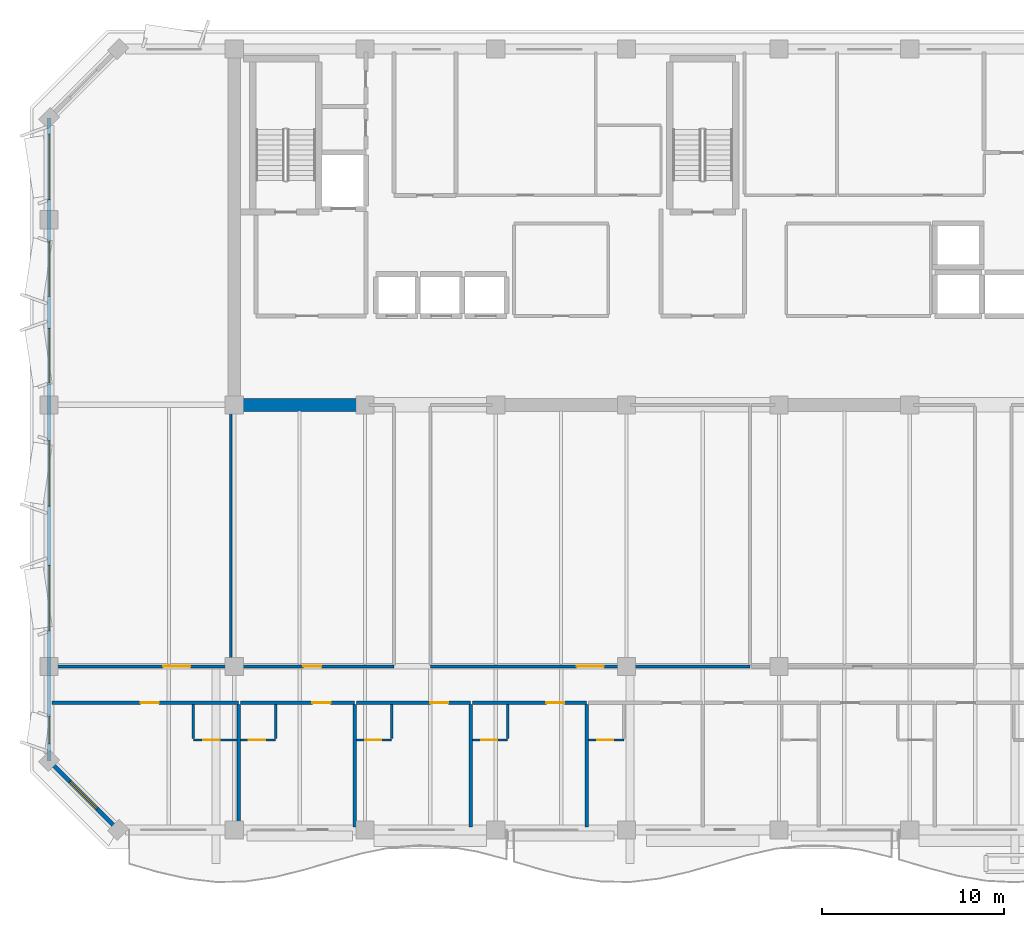
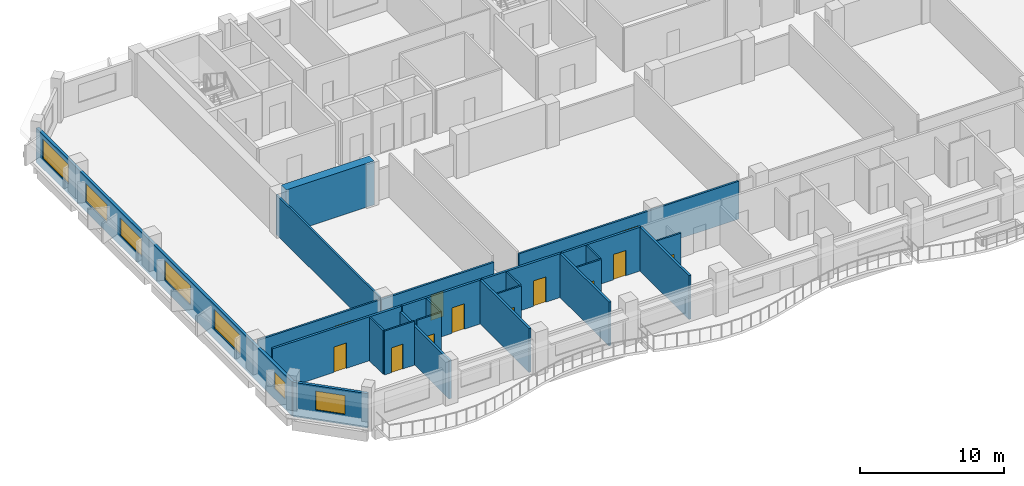
# One storey, part 3 of 11: 24 walls, 12 doors, 7 windows, 19 openings.
"""IFC4 building model written with IfcOpenShell, lengths in metres."""

from ifc_helpers import new_model, si_unit, direction, frame, frame_2d, origin, place, context, subcontext, project, spatial, rectangle, extrude, material, layer, layer_set, type_object, element, fill, save


model = new_model("IFC4")

# Units and contexts
model_context = context("Model", 3, precision=1e-05, world=origin(), true_north=direction((0.0, 1.0)))
body_context = subcontext(model_context, "Body", "Model", "MODEL_VIEW")
ifc_project = project(units=[si_unit("LENGTHUNIT", "METRE"), si_unit("AREAUNIT", "SQUARE_METRE"), si_unit("VOLUMEUNIT", "CUBIC_METRE"), si_unit("PLANEANGLEUNIT", "RADIAN"), si_unit("MASSUNIT", "GRAM", prefix="KILO")], contexts=[model_context])

# Site, building, storey
site_placement = place(None, origin())
site = spatial("IfcSite", under=ifc_project, at=site_placement, CompositionType="ELEMENT")
building_placement = place(site_placement, origin())
building = spatial("IfcBuilding", under=site, at=building_placement, Name="Kaelvorn Grand Hotel", CompositionType="ELEMENT")
storey_placement = place(building_placement, frame((0.0, 0.0, 237.050048828125)))
storey = spatial("IfcBuildingStorey", under=building, at=storey_placement, Name="L58", CompositionType="ELEMENT", Elevation=237.050048828125)

# Wall
ifc_material_1 = material(Name="Concrete C50/60", Category="concrete")
ifc_layer_1 = layer(ifc_material_1, 0.699951171875)
ifc_layer_set_1 = layer_set([ifc_layer_1], Name="Concrete C50/60")
wall_type_1 = type_object("IfcWallType", Name="WL-CORE-700-C50", PredefinedType="SHEAR", material=ifc_layer_set_1)
wall_1_placement = place(storey_placement, frame((16.554931640625, 29.39990234375, 0.0), z_axis=(0.0, 0.0, 1.0), x_axis=(1.0, 0.0, 0.0)))
element("IfcWall", 1, at=wall_1_placement, inside=storey, type_object=wall_type_1, Name="L58 Rear-Core Coupled Shear Pier S1", PredefinedType="SHEAR", context=body_context, shape_type="SweptSolid", body=[
    extrude(rectangle(XDim=7.045166015625, YDim=0.699951171875, at=frame_2d((3.5224609375, 0.0))), origin(), (0.0, 0.0, 1.0), 3.7099609375),
])

# Wall, openings, windows
ifc_material_2 = material(Name="Concrete C40/50", Category="concrete")
ifc_layer_2 = layer(ifc_material_2, 0.219970703125)
ifc_layer_set_2 = layer_set([ifc_layer_2], Name="Concrete C40/50")
wall_type_2 = type_object("IfcWallType", Name="WL-EXT-220-C40", PredefinedType="SOLIDWALL", material=ifc_layer_set_2)
wall_2_placement = place(storey_placement, frame((6.0, 45.199951171875, 0.0), z_axis=(0.0, 0.0, 1.0), x_axis=(0.0, -1.0, 0.0)))
wall_2 = element("IfcWall", 2, at=wall_2_placement, inside=storey, type_object=wall_type_2, Name="L58 Exterior Architectural Concrete Wall 07", PredefinedType="SOLIDWALL", context=body_context, shape_type="SweptSolid", body=[
    extrude(rectangle(XDim=35.39990234375, YDim=0.219970703125, at=frame_2d((17.699951171875, 0.0))), origin(), (0.0, 0.0, 1.0), 2.909912109375),
])
opening_1_placement = place(wall_2_placement, frame((32.965087890625, 0.0, 0.85009765625)))
opening_1 = element("IfcOpeningElement", 3, at=opening_1_placement, cuts=wall_2, Name="Opening W10", PredefinedType="OPENING", context=body_context, shape_type="SweptSolid", body=[
    extrude(rectangle(XDim=1.5, YDim=1.39990234375, at=frame_2d((0.75, 0.699951171875))), frame((0.0, 0.1201171875, 0.0), z_axis=(0.0, -1.0, 0.0), x_axis=(1.0, 0.0, 0.0)), (0.0, 0.0, 1.0), 0.239990234375),
])
opening_2_placement = place(wall_2_placement, frame((24.635009765625, 0.0, 0.85009765625)))
opening_2 = element("IfcOpeningElement", 4, at=opening_2_placement, cuts=wall_2, Name="Opening W3", PredefinedType="OPENING", context=body_context, shape_type="SweptSolid", body=[
    extrude(rectangle(XDim=3.60009765625, YDim=1.64990234375, at=frame_2d((1.800048828125, 0.824951171875))), frame((0.0, 0.1201171875, 0.0), z_axis=(0.0, -1.0, 0.0), x_axis=(1.0, 0.0, 0.0)), (0.0, 0.0, 1.0), 0.239990234375),
])
opening_3_placement = place(wall_2_placement, frame((17.764892578125, 0.0, 0.85009765625)))
opening_3 = element("IfcOpeningElement", 5, at=opening_3_placement, cuts=wall_2, Name="Opening W3", PredefinedType="OPENING", context=body_context, shape_type="SweptSolid", body=[
    extrude(rectangle(XDim=3.60009765625, YDim=1.64990234375, at=frame_2d((1.800048828125, 0.824951171875))), frame((0.0, 0.1201171875, 0.0), z_axis=(0.0, -1.0, 0.0), x_axis=(1.0, 0.0, 0.0)), (0.0, 0.0, 1.0), 0.239990234375),
])
opening_4_placement = place(wall_2_placement, frame((11.5849609375, 0.0, 0.85009765625)))
opening_4 = element("IfcOpeningElement", 6, at=opening_4_placement, cuts=wall_2, Name="Opening W5", PredefinedType="OPENING", context=body_context, shape_type="SweptSolid", body=[
    extrude(rectangle(XDim=3.0, YDim=1.5, at=frame_2d((1.5, 0.75))), frame((0.0, 0.1201171875, 0.0), z_axis=(0.0, -1.0, 0.0), x_axis=(1.0, 0.0, 0.0)), (0.0, 0.0, 1.0), 0.239990234375),
])
opening_5_placement = place(wall_2_placement, frame((6.81494140625, 0.0, 0.85009765625)))
opening_5 = element("IfcOpeningElement", 7, at=opening_5_placement, cuts=wall_2, Name="Opening W5", PredefinedType="OPENING", context=body_context, shape_type="SweptSolid", body=[
    extrude(rectangle(XDim=3.0, YDim=1.5, at=frame_2d((1.5, 0.75))), frame((0.0, 0.1201171875, 0.0), z_axis=(0.0, -1.0, 0.0), x_axis=(1.0, 0.0, 0.0)), (0.0, 0.0, 1.0), 0.239990234375),
])
opening_6_placement = place(wall_2_placement, frame((0.885009765625, 0.0, 0.85009765625)))
opening_6 = element("IfcOpeningElement", 8, at=opening_6_placement, cuts=wall_2, Name="Opening W3", PredefinedType="OPENING", context=body_context, shape_type="SweptSolid", body=[
    extrude(rectangle(XDim=3.60009765625, YDim=1.64990234375, at=frame_2d((1.800048828125, 0.824951171875))), frame((0.0, 0.1201171875, 0.0), z_axis=(0.0, -1.0, 0.0), x_axis=(1.0, 0.0, 0.0)), (0.0, 0.0, 1.0), 0.239990234375),
])
ifc_material_3 = material(Name="Laminated Low-E Glass", Category="glass")
window_type_1 = type_object("IfcWindowType", Name="WIN-COR-1500x1400", PartitioningType="SINGLE_PANEL", PredefinedType="WINDOW", material=ifc_material_3)
window_1_placement = place(opening_1_placement, origin())
window_1 = element("IfcWindow", 9, at=window_1_placement, inside=storey, type_object=window_type_1, Name="L58 W Wing Tilted-Frame Ribbon Window W01", OverallHeight=1.39990234375, OverallWidth=1.5, PartitioningType="SINGLE_PANEL", PredefinedType="WINDOW", context=body_context, shape_type="SweptSolid", body=[
    extrude(rectangle(XDim=1.5, YDim=1.39990234375, at=frame_2d((0.75, 0.699951171875))), frame((0.0, 0.030029296875, 0.0), z_axis=(0.0, -1.0, 0.0), x_axis=(1.0, 0.0, 0.0)), (0.0, 0.0, 1.0), 0.06005859375),
])
fill(opening_1, window_1)
window_type_2 = type_object("IfcWindowType", Name="WIN-NTH-3000x1500", PartitioningType="SINGLE_PANEL", PredefinedType="WINDOW", material=ifc_material_3)
window_2_placement = place(opening_4_placement, origin())
window_2 = element("IfcWindow", 10, at=window_2_placement, inside=storey, type_object=window_type_2, Name="L58 W Wing Tilted-Frame Ribbon Window W04", OverallHeight=1.5, OverallWidth=3.0, PartitioningType="SINGLE_PANEL", PredefinedType="WINDOW", context=body_context, shape_type="SweptSolid", body=[
    extrude(rectangle(XDim=3.0, YDim=1.5, at=frame_2d((1.5, 0.75))), frame((0.0, 0.030029296875, 0.0), z_axis=(0.0, -1.0, 0.0), x_axis=(1.0, 0.0, 0.0)), (0.0, 0.0, 1.0), 0.06005859375),
])
fill(opening_4, window_2)
window_3_placement = place(opening_5_placement, origin())
window_3 = element("IfcWindow", 11, at=window_3_placement, inside=storey, type_object=window_type_2, Name="L58 W Wing Tilted-Frame Ribbon Window W05", OverallHeight=1.5, OverallWidth=3.0, PartitioningType="SINGLE_PANEL", PredefinedType="WINDOW", context=body_context, shape_type="SweptSolid", body=[
    extrude(rectangle(XDim=3.0, YDim=1.5, at=frame_2d((1.5, 0.75))), frame((0.0, 0.030029296875, 0.0), z_axis=(0.0, -1.0, 0.0), x_axis=(1.0, 0.0, 0.0)), (0.0, 0.0, 1.0), 0.06005859375),
])
fill(opening_5, window_3)
window_type_3 = type_object("IfcWindowType", Name="WIN-RIB-3600x1750", PartitioningType="SINGLE_PANEL", PredefinedType="WINDOW", material=ifc_material_3)
window_4_placement = place(opening_2_placement, origin())
window_4 = element("IfcWindow", 12, at=window_4_placement, inside=storey, type_object=window_type_3, Name="L58 W Wing Tilted-Frame Ribbon Window W02", OverallHeight=1.64990234375, OverallWidth=3.60009765625, PartitioningType="SINGLE_PANEL", PredefinedType="WINDOW", context=body_context, shape_type="SweptSolid", body=[
    extrude(rectangle(XDim=3.60009765625, YDim=1.64990234375, at=frame_2d((1.800048828125, 0.824951171875))), frame((0.0, 0.030029296875, 0.0), z_axis=(0.0, -1.0, 0.0), x_axis=(1.0, 0.0, 0.0)), (0.0, 0.0, 1.0), 0.06005859375),
])
fill(opening_2, window_4)
window_5_placement = place(opening_3_placement, origin())
window_5 = element("IfcWindow", 13, at=window_5_placement, inside=storey, type_object=window_type_3, Name="L58 W Wing Tilted-Frame Ribbon Window W03", OverallHeight=1.64990234375, OverallWidth=3.60009765625, PartitioningType="SINGLE_PANEL", PredefinedType="WINDOW", context=body_context, shape_type="SweptSolid", body=[
    extrude(rectangle(XDim=3.60009765625, YDim=1.64990234375, at=frame_2d((1.800048828125, 0.824951171875))), frame((0.0, 0.030029296875, 0.0), z_axis=(0.0, -1.0, 0.0), x_axis=(1.0, 0.0, 0.0)), (0.0, 0.0, 1.0), 0.06005859375),
])
fill(opening_3, window_5)
window_6_placement = place(opening_6_placement, origin())
window_6 = element("IfcWindow", 14, at=window_6_placement, inside=storey, type_object=window_type_3, Name="L58 W Wing Tilted-Frame Ribbon Window W06", OverallHeight=1.64990234375, OverallWidth=3.60009765625, PartitioningType="SINGLE_PANEL", PredefinedType="WINDOW", context=body_context, shape_type="SweptSolid", body=[
    extrude(rectangle(XDim=3.60009765625, YDim=1.64990234375, at=frame_2d((1.800048828125, 0.824951171875))), frame((0.0, 0.030029296875, 0.0), z_axis=(0.0, -1.0, 0.0), x_axis=(1.0, 0.0, 0.0)), (0.0, 0.0, 1.0), 0.06005859375),
])
fill(opening_6, window_6)

# Wall, opening, window
wall_3_placement = place(storey_placement, frame((6.0, 9.800048828125, 0.0), z_axis=(0.0, 0.0, 1.0), x_axis=(0.707106781187, -0.707106781187, 0.0)))
wall_3 = element("IfcWall", 15, at=wall_3_placement, inside=storey, type_object=wall_type_2, Name="L58 Exterior Architectural Concrete Wall 08", PredefinedType="SOLIDWALL", context=body_context, shape_type="SweptSolid", body=[
    extrude(rectangle(XDim=5.3740234375, YDim=0.219970703125, at=frame_2d((2.68701171875, 0.0))), origin(), (0.0, 0.0, 1.0), 2.909912109375),
])
opening_7_placement = place(wall_3_placement, frame((1.636962890625, 0.0, 0.85009765625)))
opening_7 = element("IfcOpeningElement", 16, at=opening_7_placement, cuts=wall_3, Name="Opening W7", PredefinedType="OPENING", context=body_context, shape_type="SweptSolid", body=[
    extrude(rectangle(XDim=2.10009765625, YDim=1.60009765625, at=frame_2d((1.050048828125, 0.800048828125))), frame((0.0, 0.1201171875, 0.0), z_axis=(0.0, -1.0, 0.0), x_axis=(1.0, 0.0, 0.0)), (0.0, 0.0, 1.0), 0.239990234375),
])
window_type_4 = type_object("IfcWindowType", Name="WIN-CHM-2100x1600", PartitioningType="SINGLE_PANEL", PredefinedType="WINDOW", material=ifc_material_3)
window_7_placement = place(opening_7_placement, origin())
window_7 = element("IfcWindow", 17, at=window_7_placement, inside=storey, type_object=window_type_4, Name="L58 Chamfered 45-Degree Corner Window SW", OverallHeight=1.60009765625, OverallWidth=2.10009765625, PartitioningType="SINGLE_PANEL", PredefinedType="WINDOW", context=body_context, shape_type="SweptSolid", body=[
    extrude(rectangle(XDim=2.10009765625, YDim=1.60009765625, at=frame_2d((1.050048828125, 0.800048828125))), frame((0.0, 0.030029296875, 0.0), z_axis=(0.0, -1.0, 0.0), x_axis=(1.0, 0.0, 0.0)), (0.0, 0.0, 1.0), 0.06005859375),
])
fill(opening_7, window_7)

# Wall, opening, door
ifc_material_4 = material(Name="Moisture-Resistant Tile & Stud Board")
ifc_layer_3 = layer(ifc_material_4, 0.125)
ifc_layer_set_3 = layer_set([ifc_layer_3], Name="Moisture-Resistant Tile & Stud Board")
wall_type_3 = type_object("IfcWallType", Name="WL-PART-125-WET", PredefinedType="PARTITIONING", material=ifc_layer_set_3)
wall_4_placement = place(storey_placement, frame((13.93994140625, 10.949951171875, 0.0), z_axis=(0.0, 0.0, 1.0), x_axis=(1.0, 0.0, 0.0)))
wall_4 = element("IfcWall", 18, at=wall_4_placement, inside=storey, type_object=wall_type_3, Name="L58 En-suite Bathroom L58-01 S Partition", PredefinedType="PARTITIONING", context=body_context, shape_type="SweptSolid", body=[
    extrude(rectangle(XDim=2.405029296875, YDim=0.125, at=frame_2d((1.20263671875, 0.0))), origin(), (0.0, 0.0, 1.0), 3.7099609375),
])
opening_8_placement = place(wall_4_placement, frame((0.550048828125, 0.0, 0.0)))
opening_8 = element("IfcOpeningElement", 19, at=opening_8_placement, cuts=wall_4, Name="Opening DI4", PredefinedType="OPENING", context=body_context, shape_type="SweptSolid", body=[
    extrude(rectangle(XDim=0.89990234375, YDim=2.10009765625, at=frame_2d((0.449951171875, 1.050048828125))), frame((0.0, 0.072509765625, 0.0), z_axis=(0.0, -1.0, 0.0), x_axis=(1.0, 0.0, 0.0)), (0.0, 0.0, 1.0), 0.14501953125),
])
ifc_material_5 = material(Name="Timber Veneer Leaf", Category="wood")
door_type_1 = type_object("IfcDoorType", Name="DR-INT-BATH-900x2100", OperationType="NOTDEFINED", PredefinedType="DOOR", material=ifc_material_5)
door_1_placement = place(opening_8_placement, origin())
door_1 = element("IfcDoor", 20, at=door_1_placement, inside=storey, type_object=door_type_1, Name="L58 En-suite Bathroom L58-01 Door", OperationType="SINGLE_SWING_LEFT", OverallHeight=2.10009765625, OverallWidth=0.89990234375, PredefinedType="DOOR", context=body_context, shape_type="SweptSolid", body=[
    extrude(rectangle(XDim=0.89990234375, YDim=2.10009765625, at=frame_2d((0.449951171875, 1.050048828125))), frame((0.0, 0.02490234375, 0.0), z_axis=(0.0, -1.0, 0.0), x_axis=(1.0, 0.0, 0.0)), (0.0, 0.0, 1.0), 0.050048828125),
])
fill(opening_8, door_1)

# Wall
wall_5_placement = place(storey_placement, frame((13.93994140625, 11.017578125, 0.0), z_axis=(0.0, 0.0, 1.0), x_axis=(0.0, 1.0, 0.0)))
element("IfcWall", 21, at=wall_5_placement, inside=storey, type_object=wall_type_3, Name="L58 En-suite Bathroom L58-01 W Partition", PredefinedType="PARTITIONING", context=body_context, shape_type="SweptSolid", body=[
    extrude(rectangle(XDim=1.887451171875, YDim=0.125, at=frame_2d((0.94384765625, 0.0))), origin(), (0.0, 0.0, 1.0), 3.7099609375),
])

# Wall, opening, door
wall_6_placement = place(storey_placement, frame((16.534912109375, 10.949951171875, 0.0), z_axis=(0.0, 0.0, 1.0), x_axis=(1.0, 0.0, 0.0)))
wall_6 = element("IfcWall", 22, at=wall_6_placement, inside=storey, type_object=wall_type_3, Name="L58 En-suite Bathroom L58-02 S Partition", PredefinedType="PARTITIONING", context=body_context, shape_type="SweptSolid", body=[
    extrude(rectangle(XDim=1.945068359375, YDim=0.125, at=frame_2d((0.97265625, 0.0))), origin(), (0.0, 0.0, 1.0), 3.7099609375),
])
opening_9_placement = place(wall_6_placement, frame((0.47509765625, 0.0, 0.0)))
opening_9 = element("IfcOpeningElement", 23, at=opening_9_placement, cuts=wall_6, Name="Opening DI4", PredefinedType="OPENING", context=body_context, shape_type="SweptSolid", body=[
    extrude(rectangle(XDim=0.89990234375, YDim=2.10009765625, at=frame_2d((0.449951171875, 1.050048828125))), frame((0.0, 0.072509765625, 0.0), z_axis=(0.0, -1.0, 0.0), x_axis=(1.0, 0.0, 0.0)), (0.0, 0.0, 1.0), 0.14501953125),
])
door_2_placement = place(opening_9_placement, origin())
door_2 = element("IfcDoor", 24, at=door_2_placement, inside=storey, type_object=door_type_1, Name="L58 En-suite Bathroom L58-02 Door", OperationType="SINGLE_SWING_LEFT", OverallHeight=2.10009765625, OverallWidth=0.89990234375, PredefinedType="DOOR", context=body_context, shape_type="SweptSolid", body=[
    extrude(rectangle(XDim=0.89990234375, YDim=2.10009765625, at=frame_2d((0.449951171875, 1.050048828125))), frame((0.0, 0.02490234375, 0.0), z_axis=(0.0, -1.0, 0.0), x_axis=(1.0, 0.0, 0.0)), (0.0, 0.0, 1.0), 0.050048828125),
])
fill(opening_9, door_2)

# Wall
wall_7_placement = place(storey_placement, frame((18.47998046875, 11.017578125, 0.0), z_axis=(0.0, 0.0, 1.0), x_axis=(0.0, 1.0, 0.0)))
element("IfcWall", 25, at=wall_7_placement, inside=storey, type_object=wall_type_3, Name="L58 En-suite Bathroom L58-02 E Partition", PredefinedType="PARTITIONING", context=body_context, shape_type="SweptSolid", body=[
    extrude(rectangle(XDim=1.887451171875, YDim=0.125, at=frame_2d((0.94384765625, 0.0))), origin(), (0.0, 0.0, 1.0), 3.7099609375),
])

# Wall, opening, door
wall_8_placement = place(storey_placement, frame((22.925048828125, 10.949951171875, 0.0), z_axis=(0.0, 0.0, 1.0), x_axis=(1.0, 0.0, 0.0)))
wall_8 = element("IfcWall", 26, at=wall_8_placement, inside=storey, type_object=wall_type_3, Name="L58 En-suite Bathroom L58-03 S Partition", PredefinedType="PARTITIONING", context=body_context, shape_type="SweptSolid", body=[
    extrude(rectangle(XDim=1.945068359375, YDim=0.125, at=frame_2d((0.97265625, 0.0))), origin(), (0.0, 0.0, 1.0), 3.7099609375),
])
opening_10_placement = place(wall_8_placement, frame((0.47509765625, 0.0, 0.0)))
opening_10 = element("IfcOpeningElement", 27, at=opening_10_placement, cuts=wall_8, Name="Opening DI4", PredefinedType="OPENING", context=body_context, shape_type="SweptSolid", body=[
    extrude(rectangle(XDim=0.89990234375, YDim=2.10009765625, at=frame_2d((0.449951171875, 1.050048828125))), frame((0.0, 0.072509765625, 0.0), z_axis=(0.0, -1.0, 0.0), x_axis=(1.0, 0.0, 0.0)), (0.0, 0.0, 1.0), 0.14501953125),
])
door_3_placement = place(opening_10_placement, origin())
door_3 = element("IfcDoor", 28, at=door_3_placement, inside=storey, type_object=door_type_1, Name="L58 En-suite Bathroom L58-03 Door", OperationType="SINGLE_SWING_LEFT", OverallHeight=2.10009765625, OverallWidth=0.89990234375, PredefinedType="DOOR", context=body_context, shape_type="SweptSolid", body=[
    extrude(rectangle(XDim=0.89990234375, YDim=2.10009765625, at=frame_2d((0.449951171875, 1.050048828125))), frame((0.0, 0.02490234375, 0.0), z_axis=(0.0, -1.0, 0.0), x_axis=(1.0, 0.0, 0.0)), (0.0, 0.0, 1.0), 0.050048828125),
])
fill(opening_10, door_3)

# Wall
wall_9_placement = place(storey_placement, frame((24.8701171875, 11.017578125, 0.0), z_axis=(0.0, 0.0, 1.0), x_axis=(0.0, 1.0, 0.0)))
element("IfcWall", 29, at=wall_9_placement, inside=storey, type_object=wall_type_3, Name="L58 En-suite Bathroom L58-03 E Partition", PredefinedType="PARTITIONING", context=body_context, shape_type="SweptSolid", body=[
    extrude(rectangle(XDim=1.887451171875, YDim=0.125, at=frame_2d((0.94384765625, 0.0))), origin(), (0.0, 0.0, 1.0), 3.7099609375),
])

# Wall, opening, door
wall_10_placement = place(storey_placement, frame((29.31494140625, 10.949951171875, 0.0), z_axis=(0.0, 0.0, 1.0), x_axis=(1.0, 0.0, 0.0)))
wall_10 = element("IfcWall", 30, at=wall_10_placement, inside=storey, type_object=wall_type_3, Name="L58 En-suite Bathroom L58-04 S Partition", PredefinedType="PARTITIONING", context=body_context, shape_type="SweptSolid", body=[
    extrude(rectangle(XDim=1.945068359375, YDim=0.125, at=frame_2d((0.97265625, 0.0))), origin(), (0.0, 0.0, 1.0), 3.7099609375),
])
opening_11_placement = place(wall_10_placement, frame((0.47509765625, 0.0, 0.0)))
opening_11 = element("IfcOpeningElement", 31, at=opening_11_placement, cuts=wall_10, Name="Opening DI4", PredefinedType="OPENING", context=body_context, shape_type="SweptSolid", body=[
    extrude(rectangle(XDim=0.89990234375, YDim=2.10009765625, at=frame_2d((0.449951171875, 1.050048828125))), frame((0.0, 0.072509765625, 0.0), z_axis=(0.0, -1.0, 0.0), x_axis=(1.0, 0.0, 0.0)), (0.0, 0.0, 1.0), 0.14501953125),
])
door_4_placement = place(opening_11_placement, origin())
door_4 = element("IfcDoor", 32, at=door_4_placement, inside=storey, type_object=door_type_1, Name="L58 En-suite Bathroom L58-04 Door", OperationType="SINGLE_SWING_LEFT", OverallHeight=2.10009765625, OverallWidth=0.89990234375, PredefinedType="DOOR", context=body_context, shape_type="SweptSolid", body=[
    extrude(rectangle(XDim=0.89990234375, YDim=2.10009765625, at=frame_2d((0.449951171875, 1.050048828125))), frame((0.0, 0.02490234375, 0.0), z_axis=(0.0, -1.0, 0.0), x_axis=(1.0, 0.0, 0.0)), (0.0, 0.0, 1.0), 0.050048828125),
])
fill(opening_11, door_4)

# Wall
wall_11_placement = place(storey_placement, frame((31.260009765625, 11.017578125, 0.0), z_axis=(0.0, 0.0, 1.0), x_axis=(0.0, 1.0, 0.0)))
element("IfcWall", 33, at=wall_11_placement, inside=storey, type_object=wall_type_3, Name="L58 En-suite Bathroom L58-04 E Partition", PredefinedType="PARTITIONING", context=body_context, shape_type="SweptSolid", body=[
    extrude(rectangle(XDim=1.887451171875, YDim=0.125, at=frame_2d((0.94384765625, 0.0))), origin(), (0.0, 0.0, 1.0), 3.7099609375),
])

# Wall, opening, door
wall_12_placement = place(storey_placement, frame((35.705078125, 10.949951171875, 0.0), z_axis=(0.0, 0.0, 1.0), x_axis=(1.0, 0.0, 0.0)))
wall_12 = element("IfcWall", 34, at=wall_12_placement, inside=storey, type_object=wall_type_3, Name="L58 En-suite Bathroom L58-05 S Partition", PredefinedType="PARTITIONING", context=body_context, shape_type="SweptSolid", body=[
    extrude(rectangle(XDim=1.94482421875, YDim=0.125, at=frame_2d((0.972412109375, 0.0))), origin(), (0.0, 0.0, 1.0), 3.7099609375),
])
opening_12_placement = place(wall_12_placement, frame((0.47509765625, 0.0, 0.0)))
opening_12 = element("IfcOpeningElement", 35, at=opening_12_placement, cuts=wall_12, Name="Opening DI4", PredefinedType="OPENING", context=body_context, shape_type="SweptSolid", body=[
    extrude(rectangle(XDim=0.89990234375, YDim=2.10009765625, at=frame_2d((0.449951171875, 1.050048828125))), frame((0.0, 0.072509765625, 0.0), z_axis=(0.0, -1.0, 0.0), x_axis=(1.0, 0.0, 0.0)), (0.0, 0.0, 1.0), 0.14501953125),
])
door_5_placement = place(opening_12_placement, origin())
door_5 = element("IfcDoor", 36, at=door_5_placement, inside=storey, type_object=door_type_1, Name="L58 En-suite Bathroom L58-05 Door", OperationType="SINGLE_SWING_LEFT", OverallHeight=2.10009765625, OverallWidth=0.89990234375, PredefinedType="DOOR", context=body_context, shape_type="SweptSolid", body=[
    extrude(rectangle(XDim=0.89990234375, YDim=2.10009765625, at=frame_2d((0.449951171875, 1.050048828125))), frame((0.0, 0.02490234375, 0.0), z_axis=(0.0, -1.0, 0.0), x_axis=(1.0, 0.0, 0.0)), (0.0, 0.0, 1.0), 0.050048828125),
])
fill(opening_12, door_5)

ifc_material_6 = material(Name="Acoustic Gypsum & Stud Partition")
ifc_layer_4 = layer(ifc_material_6, 0.14990234375)
ifc_layer_set_4 = layer_set([ifc_layer_4], Name="Acoustic Gypsum & Stud Partition")
wall_type_4 = type_object("IfcWallType", Name="WL-PART-150-EI60", PredefinedType="PARTITIONING", material=ifc_layer_set_4)
wall_13_placement = place(storey_placement, frame((16.0, 15.0, 0.0), z_axis=(0.0, 0.0, 1.0), x_axis=(1.0, 0.0, 0.0)))
wall_13 = element("IfcWall", 37, at=wall_13_placement, inside=storey, type_object=wall_type_4, Name="L58 Executive Meeting Boardroom S Partition", PredefinedType="PARTITIONING", context=body_context, shape_type="SweptSolid", body=[
    extrude(rectangle(XDim=9.0, YDim=0.14990234375, at=frame_2d((4.5, 0.0))), origin(), (0.0, 0.0, 1.0), 3.2099609375),
])
opening_13_placement = place(wall_13_placement, frame((4.0, 0.0, 0.0)))
opening_13 = element("IfcOpeningElement", 38, at=opening_13_placement, cuts=wall_13, Name="Opening DI3", PredefinedType="OPENING", context=body_context, shape_type="SweptSolid", body=[
    extrude(rectangle(XDim=1.0, YDim=2.14990234375, at=frame_2d((0.5, 1.074951171875))), frame((0.0, 0.0849609375, 0.0), z_axis=(0.0, -1.0, 0.0), x_axis=(1.0, 0.0, 0.0)), (0.0, 0.0, 1.0), 0.169921875),
])
ifc_material_7 = material(Name="Timber Veneer Fire Leaf", Category="wood")
door_type_2 = type_object("IfcDoorType", Name="DR-INT-GUEST-1000x2150", OperationType="NOTDEFINED", PredefinedType="DOOR", material=ifc_material_7)
door_6_placement = place(opening_13_placement, origin())
door_6 = element("IfcDoor", 39, at=door_6_placement, inside=storey, type_object=door_type_2, Name="L58 Executive Meeting Boardroom Door", OperationType="SINGLE_SWING_RIGHT", OverallHeight=2.14990234375, OverallWidth=1.0, PredefinedType="DOOR", context=body_context, shape_type="SweptSolid", body=[
    extrude(rectangle(XDim=1.0, YDim=2.14990234375, at=frame_2d((0.5, 1.074951171875))), frame((0.0, 0.02490234375, 0.0), z_axis=(0.0, -1.0, 0.0), x_axis=(1.0, 0.0, 0.0)), (0.0, 0.0, 1.0), 0.050048828125),
])
fill(opening_13, door_6)

# Wall
wall_14_placement = place(storey_placement, frame((16.0, 15.080078125, 0.0), z_axis=(0.0, 0.0, 1.0), x_axis=(0.0, 1.0, 0.0)))
element("IfcWall", 40, at=wall_14_placement, inside=storey, type_object=wall_type_4, Name="L58 Executive Meeting Boardroom W Partition", PredefinedType="PARTITIONING", context=body_context, shape_type="SweptSolid", body=[
    extrude(rectangle(XDim=14.309814453125, YDim=0.14990234375, at=frame_2d((7.15478515625, 0.0))), origin(), (0.0, 0.0, 1.0), 3.349853515625),
])

# Wall, opening, door
wall_15_placement = place(storey_placement, frame((27.0, 15.0, 0.0), z_axis=(0.0, 0.0, 1.0), x_axis=(1.0, 0.0, 0.0)))
wall_15 = element("IfcWall", 41, at=wall_15_placement, inside=storey, type_object=wall_type_4, Name="L58 Guest Butler Kitchen S Partition", PredefinedType="PARTITIONING", context=body_context, shape_type="SweptSolid", body=[
    extrude(rectangle(XDim=17.60009765625, YDim=0.14990234375, at=frame_2d((8.800048828125, 0.0))), origin(), (0.0, 0.0, 1.0), 3.2099609375),
])
opening_14_placement = place(wall_15_placement, frame((8.050048828125, 0.0, 0.0)))
opening_14 = element("IfcOpeningElement", 42, at=opening_14_placement, cuts=wall_15, Name="Opening DI5", PredefinedType="OPENING", context=body_context, shape_type="SweptSolid", body=[
    extrude(rectangle(XDim=1.5, YDim=2.25, at=frame_2d((0.75, 1.125))), frame((0.0, 0.0849609375, 0.0), z_axis=(0.0, -1.0, 0.0), x_axis=(1.0, 0.0, 0.0)), (0.0, 0.0, 1.0), 0.169921875),
])
door_type_3 = type_object("IfcDoorType", Name="DR-INT-SALON-1500x2250", OperationType="DOUBLE_DOOR_SINGLE_SWING", PredefinedType="DOOR", material=ifc_material_7)
door_7_placement = place(opening_14_placement, origin())
door_7 = element("IfcDoor", 43, at=door_7_placement, inside=storey, type_object=door_type_3, Name="L58 Guest Butler Kitchen Door", OperationType="DOUBLE_DOOR_SINGLE_SWING", OverallHeight=2.25, OverallWidth=1.5, PredefinedType="DOOR", context=body_context, shape_type="SweptSolid", body=[
    extrude(rectangle(XDim=1.5, YDim=2.25, at=frame_2d((0.75, 1.125))), frame((0.0, 0.02490234375, 0.0), z_axis=(0.0, -1.0, 0.0), x_axis=(1.0, 0.0, 0.0)), (0.0, 0.0, 1.0), 0.050048828125),
])
fill(opening_14, door_7)

wall_16_placement = place(storey_placement, frame((6.14990234375, 15.0, 0.0), z_axis=(0.0, 0.0, 1.0), x_axis=(1.0, 0.0, 0.0)))
wall_16 = element("IfcWall", 44, at=wall_16_placement, inside=storey, type_object=wall_type_4, Name="L58 West Sky Business Secretariat Office S Partition", PredefinedType="PARTITIONING", context=body_context, shape_type="SweptSolid", body=[
    extrude(rectangle(XDim=9.77001953125, YDim=0.14990234375, at=frame_2d((4.885009765625, 0.0))), origin(), (0.0, 0.0, 1.0), 3.2099609375),
])
opening_15_placement = place(wall_16_placement, frame((6.1298828125, 0.0, 0.0)))
opening_15 = element("IfcOpeningElement", 45, at=opening_15_placement, cuts=wall_16, Name="Opening DI5", PredefinedType="OPENING", context=body_context, shape_type="SweptSolid", body=[
    extrude(rectangle(XDim=1.5, YDim=2.25, at=frame_2d((0.75, 1.125))), frame((0.0, 0.0849609375, 0.0), z_axis=(0.0, -1.0, 0.0), x_axis=(1.0, 0.0, 0.0)), (0.0, 0.0, 1.0), 0.169921875),
])
door_8_placement = place(opening_15_placement, origin())
door_8 = element("IfcDoor", 46, at=door_8_placement, inside=storey, type_object=door_type_3, Name="L58 West Sky Business Secretariat Office Door", OperationType="DOUBLE_DOOR_SINGLE_SWING", OverallHeight=2.25, OverallWidth=1.5, PredefinedType="DOOR", context=body_context, shape_type="SweptSolid", body=[
    extrude(rectangle(XDim=1.5, YDim=2.25, at=frame_2d((0.75, 1.125))), frame((0.0, 0.02490234375, 0.0), z_axis=(0.0, -1.0, 0.0), x_axis=(1.0, 0.0, 0.0)), (0.0, 0.0, 1.0), 0.050048828125),
])
fill(opening_15, door_8)

ifc_layer_5 = layer(ifc_material_6, 0.179931640625)
ifc_layer_set_5 = layer_set([ifc_layer_5], Name="Acoustic Gypsum & Stud Partition")
wall_type_5 = type_object("IfcWallType", Name="WL-PART-180-EI60", PredefinedType="PARTITIONING", material=ifc_layer_set_5)
wall_17_placement = place(storey_placement, frame((6.14990234375, 13.0, 0.0), z_axis=(0.0, 0.0, 1.0), x_axis=(1.0, 0.0, 0.0)))
wall_17 = element("IfcWall", 47, at=wall_17_placement, inside=storey, type_object=wall_type_5, Name="L58 Ambassador Guest Room L58-01 N Partition", PredefinedType="PARTITIONING", context=body_context, shape_type="SweptSolid", body=[
    extrude(rectangle(XDim=10.2900390625, YDim=0.179931640625, at=frame_2d((5.14501953125, 0.0))), origin(), (0.0, 0.0, 1.0), 3.7099609375),
])
opening_16_placement = place(wall_17_placement, frame((4.89501953125, 0.0, 0.0)))
opening_16 = element("IfcOpeningElement", 48, at=opening_16_placement, cuts=wall_17, Name="Opening DI3", PredefinedType="OPENING", context=body_context, shape_type="SweptSolid", body=[
    extrude(rectangle(XDim=1.0, YDim=2.14990234375, at=frame_2d((0.5, 1.074951171875))), frame((0.0, 0.10009765625, 0.0), z_axis=(0.0, -1.0, 0.0), x_axis=(1.0, 0.0, 0.0)), (0.0, 0.0, 1.0), 0.199951171875),
])
door_9_placement = place(opening_16_placement, origin())
door_9 = element("IfcDoor", 49, at=door_9_placement, inside=storey, type_object=door_type_2, Name="L58 Ambassador Guest Room L58-01 Door", OperationType="SINGLE_SWING_RIGHT", OverallHeight=2.14990234375, OverallWidth=1.0, PredefinedType="DOOR", context=body_context, shape_type="SweptSolid", body=[
    extrude(rectangle(XDim=1.0, YDim=2.14990234375, at=frame_2d((0.5, 1.074951171875))), frame((0.0, 0.02490234375, 0.0), z_axis=(0.0, -1.0, 0.0), x_axis=(1.0, 0.0, 0.0)), (0.0, 0.0, 1.0), 0.050048828125),
])
fill(opening_16, door_9)

# Wall
wall_18_placement = place(storey_placement, frame((16.43994140625, 6.14990234375, 0.0), z_axis=(0.0, 0.0, 1.0), x_axis=(0.0, 1.0, 0.0)))
element("IfcWall", 50, at=wall_18_placement, inside=storey, type_object=wall_type_5, Name="L58 Ambassador Guest Room L58-01 E Partition", PredefinedType="PARTITIONING", context=body_context, shape_type="SweptSolid", body=[
    extrude(rectangle(XDim=6.755126953125, YDim=0.179931640625, at=frame_2d((3.37744140625, 0.0))), origin(), (0.0, 0.0, 1.0), 3.260009765625),
])

# Wall, opening, door
wall_19_placement = place(storey_placement, frame((16.534912109375, 13.0, 0.0), z_axis=(0.0, 0.0, 1.0), x_axis=(1.0, 0.0, 0.0)))
wall_19 = element("IfcWall", 51, at=wall_19_placement, inside=storey, type_object=wall_type_5, Name="L58 Ambassador Guest Room L58-02 N Partition", PredefinedType="PARTITIONING", context=body_context, shape_type="SweptSolid", body=[
    extrude(rectangle(XDim=6.295166015625, YDim=0.179931640625, at=frame_2d((3.1474609375, 0.0))), origin(), (0.0, 0.0, 1.0), 3.7099609375),
])
opening_17_placement = place(wall_19_placement, frame((3.965087890625, 0.0, 0.0)))
opening_17 = element("IfcOpeningElement", 52, at=opening_17_placement, cuts=wall_19, Name="Opening DI3", PredefinedType="OPENING", context=body_context, shape_type="SweptSolid", body=[
    extrude(rectangle(XDim=1.0, YDim=2.14990234375, at=frame_2d((0.5, 1.074951171875))), frame((0.0, 0.10009765625, 0.0), z_axis=(0.0, -1.0, 0.0), x_axis=(1.0, 0.0, 0.0)), (0.0, 0.0, 1.0), 0.199951171875),
])
door_10_placement = place(opening_17_placement, origin())
door_10 = element("IfcDoor", 53, at=door_10_placement, inside=storey, type_object=door_type_2, Name="L58 Ambassador Guest Room L58-02 Door", OperationType="SINGLE_SWING_RIGHT", OverallHeight=2.14990234375, OverallWidth=1.0, PredefinedType="DOOR", context=body_context, shape_type="SweptSolid", body=[
    extrude(rectangle(XDim=1.0, YDim=2.14990234375, at=frame_2d((0.5, 1.074951171875))), frame((0.0, 0.02490234375, 0.0), z_axis=(0.0, -1.0, 0.0), x_axis=(1.0, 0.0, 0.0)), (0.0, 0.0, 1.0), 0.050048828125),
])
fill(opening_17, door_10)

# Wall
wall_20_placement = place(storey_placement, frame((22.830078125, 6.14990234375, 0.0), z_axis=(0.0, 0.0, 1.0), x_axis=(0.0, 1.0, 0.0)))
element("IfcWall", 54, at=wall_20_placement, inside=storey, type_object=wall_type_5, Name="L58 Ambassador Guest Room L58-02 E Partition", PredefinedType="PARTITIONING", context=body_context, shape_type="SweptSolid", body=[
    extrude(rectangle(XDim=6.755126953125, YDim=0.179931640625, at=frame_2d((3.37744140625, 0.0))), origin(), (0.0, 0.0, 1.0), 3.7099609375),
])

# Wall, opening, door
wall_21_placement = place(storey_placement, frame((22.925048828125, 13.0, 0.0), z_axis=(0.0, 0.0, 1.0), x_axis=(1.0, 0.0, 0.0)))
wall_21 = element("IfcWall", 55, at=wall_21_placement, inside=storey, type_object=wall_type_5, Name="L58 Ambassador Guest Room L58-03 N Partition", PredefinedType="PARTITIONING", context=body_context, shape_type="SweptSolid", body=[
    extrude(rectangle(XDim=6.294921875, YDim=0.179931640625, at=frame_2d((3.1474609375, 0.0))), origin(), (0.0, 0.0, 1.0), 3.7099609375),
])
opening_18_placement = place(wall_21_placement, frame((4.070068359375, 0.0, 0.0)))
opening_18 = element("IfcOpeningElement", 56, at=opening_18_placement, cuts=wall_21, Name="Opening DI3", PredefinedType="OPENING", context=body_context, shape_type="SweptSolid", body=[
    extrude(rectangle(XDim=1.0, YDim=2.14990234375, at=frame_2d((0.5, 1.074951171875))), frame((0.0, 0.10009765625, 0.0), z_axis=(0.0, -1.0, 0.0), x_axis=(1.0, 0.0, 0.0)), (0.0, 0.0, 1.0), 0.199951171875),
])
door_11_placement = place(opening_18_placement, origin())
door_11 = element("IfcDoor", 57, at=door_11_placement, inside=storey, type_object=door_type_2, Name="L58 Ambassador Guest Room L58-03 Door", OperationType="SINGLE_SWING_RIGHT", OverallHeight=2.14990234375, OverallWidth=1.0, PredefinedType="DOOR", context=body_context, shape_type="SweptSolid", body=[
    extrude(rectangle(XDim=1.0, YDim=2.14990234375, at=frame_2d((0.5, 1.074951171875))), frame((0.0, 0.02490234375, 0.0), z_axis=(0.0, -1.0, 0.0), x_axis=(1.0, 0.0, 0.0)), (0.0, 0.0, 1.0), 0.050048828125),
])
fill(opening_18, door_11)

# Wall
wall_22_placement = place(storey_placement, frame((29.219970703125, 6.14990234375, 0.0), z_axis=(0.0, 0.0, 1.0), x_axis=(0.0, 1.0, 0.0)))
element("IfcWall", 58, at=wall_22_placement, inside=storey, type_object=wall_type_5, Name="L58 Ambassador Guest Room L58-03 E Partition", PredefinedType="PARTITIONING", context=body_context, shape_type="SweptSolid", body=[
    extrude(rectangle(XDim=6.755126953125, YDim=0.179931640625, at=frame_2d((3.37744140625, 0.0))), origin(), (0.0, 0.0, 1.0), 3.7099609375),
])

# Wall, opening, door
wall_23_placement = place(storey_placement, frame((29.31494140625, 13.0, 0.0), z_axis=(0.0, 0.0, 1.0), x_axis=(1.0, 0.0, 0.0)))
wall_23 = element("IfcWall", 59, at=wall_23_placement, inside=storey, type_object=wall_type_5, Name="L58 Ambassador Guest Room L58-04 N Partition", PredefinedType="PARTITIONING", context=body_context, shape_type="SweptSolid", body=[
    extrude(rectangle(XDim=6.295166015625, YDim=0.179931640625, at=frame_2d((3.1474609375, 0.0))), origin(), (0.0, 0.0, 1.0), 3.7099609375),
])
opening_19_placement = place(wall_23_placement, frame((4.070068359375, 0.0, 0.0)))
opening_19 = element("IfcOpeningElement", 60, at=opening_19_placement, cuts=wall_23, Name="Opening DI3", PredefinedType="OPENING", context=body_context, shape_type="SweptSolid", body=[
    extrude(rectangle(XDim=1.0, YDim=2.14990234375, at=frame_2d((0.5, 1.074951171875))), frame((0.0, 0.10009765625, 0.0), z_axis=(0.0, -1.0, 0.0), x_axis=(1.0, 0.0, 0.0)), (0.0, 0.0, 1.0), 0.199951171875),
])
door_12_placement = place(opening_19_placement, origin())
door_12 = element("IfcDoor", 61, at=door_12_placement, inside=storey, type_object=door_type_2, Name="L58 Ambassador Guest Room L58-04 Door", OperationType="SINGLE_SWING_RIGHT", OverallHeight=2.14990234375, OverallWidth=1.0, PredefinedType="DOOR", context=body_context, shape_type="SweptSolid", body=[
    extrude(rectangle(XDim=1.0, YDim=2.14990234375, at=frame_2d((0.5, 1.074951171875))), frame((0.0, 0.02490234375, 0.0), z_axis=(0.0, -1.0, 0.0), x_axis=(1.0, 0.0, 0.0)), (0.0, 0.0, 1.0), 0.050048828125),
])
fill(opening_19, door_12)

# Wall
wall_24_placement = place(storey_placement, frame((35.610107421875, 6.14990234375, 0.0), z_axis=(0.0, 0.0, 1.0), x_axis=(0.0, 1.0, 0.0)))
element("IfcWall", 62, at=wall_24_placement, inside=storey, type_object=wall_type_5, Name="L58 Ambassador Guest Room L58-04 E Partition", PredefinedType="PARTITIONING", context=body_context, shape_type="SweptSolid", body=[
    extrude(rectangle(XDim=6.755126953125, YDim=0.179931640625, at=frame_2d((3.37744140625, 0.0))), origin(), (0.0, 0.0, 1.0), 3.7099609375),
])

save(model, "model.ifc")
